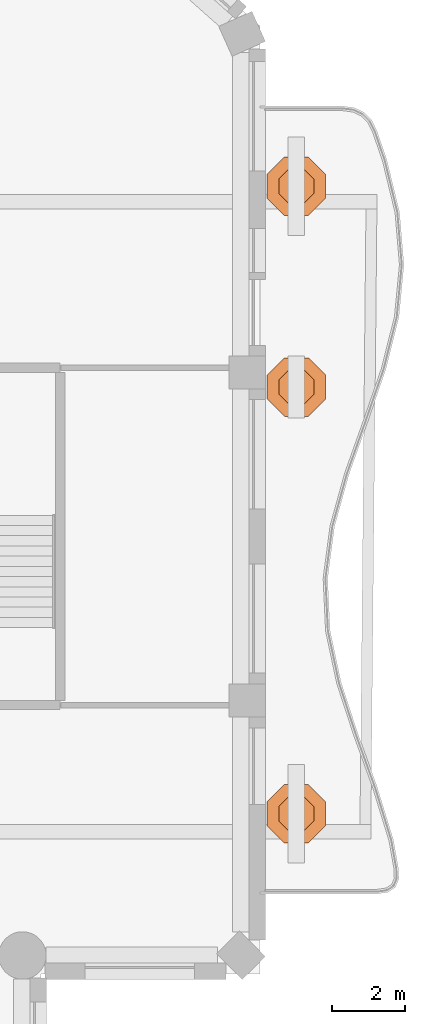
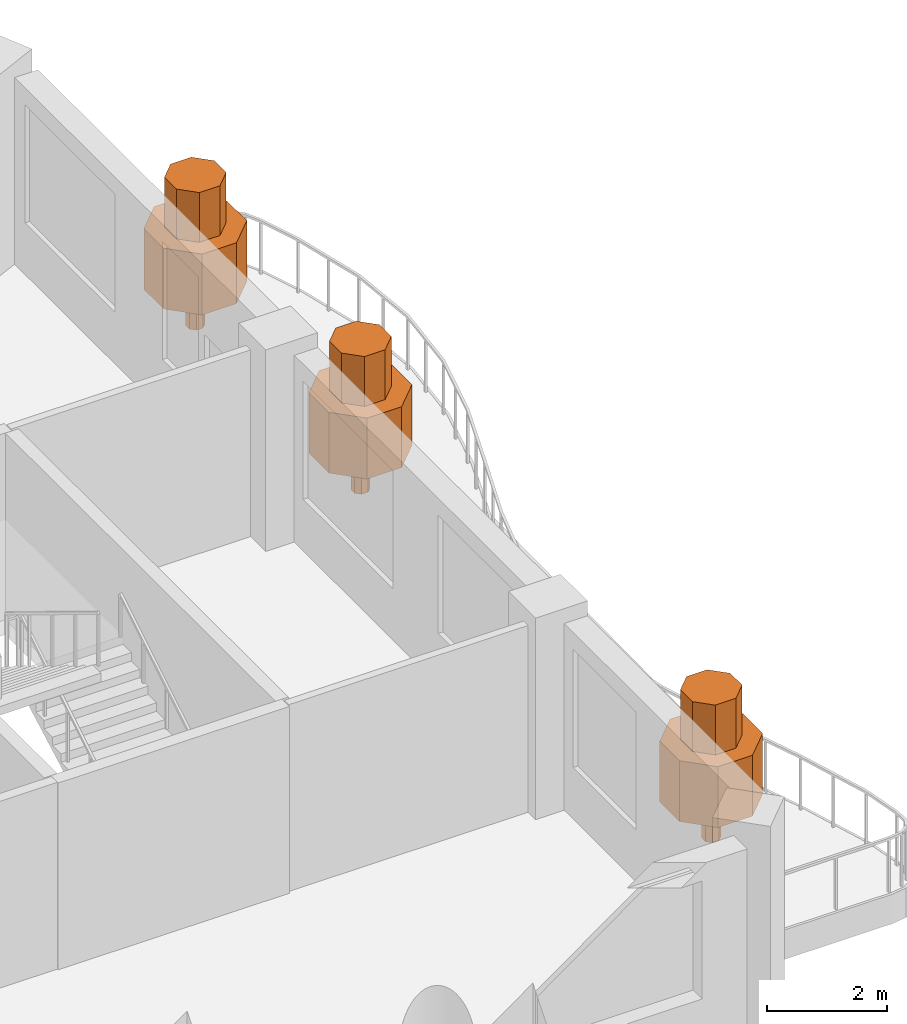
# One storey, part 14 of 14: 3 geographic elements.
"""IFC4 building model written with IfcOpenShell, lengths in metres."""

import ifcopenshell
import ifcopenshell.guid

model = None  # the IFC model being written
_history = None  # IfcOwnerHistory: only IFC2X3 demands one
_inside = {}  # id of a spatial element -> (the spatial element, [elements in it])
_under = {}  # id of a project, library or spatial element -> (it, [spatial elements below it])
_declared = {}  # id of a project -> (the project, [libraries it declares])
_typed = {}  # id of a type object -> (the type object, [elements of that type])
_made_of = {}  # id of a material, layer set ... -> (it, [elements and type objects made of it])


def new_model(schema):
    """Start an empty IFC model of exactly this schema.

    Asked for "IFC4X3", IfcOpenShell would pick the latest addendum, in which some entities
    have other attributes; the version numbers below select the first issue.
    IFC2X3 requires an IfcOwnerHistory on every rooted entity: one is made here for all.
    """
    global model, _history
    if schema == "IFC4X3":
        model = ifcopenshell.file(schema_version=(4, 3, 0, 0))
    else:
        model = ifcopenshell.file(schema=schema)
    _inside.clear()
    _under.clear()
    _declared.clear()
    _typed.clear()
    _made_of.clear()
    _history = None
    if model.schema == "IFC2X3":
        org = make("IfcOrganization", Name="unknown")
        user = make(
            "IfcPersonAndOrganization",
            ThePerson=make("IfcPerson", FamilyName="unknown"),
            TheOrganization=org,
        )
        app = make(
            "IfcApplication",
            ApplicationDeveloper=org,
            Version="unknown",
            ApplicationFullName="unknown",
            ApplicationIdentifier="unknown",
        )
        _history = make(
            "IfcOwnerHistory",
            OwningUser=user,
            OwningApplication=app,
            ChangeAction="ADDED",
            CreationDate=0,
        )
    return model


def make(cls, **values):
    """One entity of the class cls with the attributes given. An attribute that is None is left unset."""
    return model.create_entity(
        cls, **{name: value for name, value in values.items() if value is not None}
    )


def rooted(cls, **values):
    """An entity with a GlobalId (a new one), such as an element, a storey or a relation."""
    return make(cls, GlobalId=ifcopenshell.guid.new(), OwnerHistory=_history, **values)


def si_unit(unit_type, name, prefix=None):
    """IfcSIUnit, for example si_unit("LENGTHUNIT", "METRE", prefix="MILLI")."""
    return make("IfcSIUnit", UnitType=unit_type, Prefix=prefix, Name=name)


def assignment(units):
    """IfcUnitAssignment: the units of a project."""
    return None if units is None else make("IfcUnitAssignment", Units=units)


def point(xyz):
    """IfcCartesianPoint."""
    return None if xyz is None else make("IfcCartesianPoint", Coordinates=xyz)


def direction(xyz):
    """IfcDirection."""
    return None if xyz is None else make("IfcDirection", DirectionRatios=xyz)


def frame(location, z_axis=None, x_axis=None):
    """IfcAxis2Placement3D, a coordinate frame: its origin and axes. An axis left out is left unset."""
    return make(
        "IfcAxis2Placement3D",
        Location=point(location),
        Axis=direction(z_axis),
        RefDirection=direction(x_axis),
    )


def origin():
    """The frame at (0, 0, 0) with its axes left unset."""
    return frame((0.0, 0.0, 0.0))


def place(relative_to, where):
    """IfcLocalPlacement: puts the frame where relative to a parent placement (None: the world)."""
    return make(
        "IfcLocalPlacement", PlacementRelTo=relative_to, RelativePlacement=where
    )


def context(
    kind, dimensions, precision=None, world=None, true_north=None, identifier=None
):
    """IfcGeometricRepresentationContext, for example the 3D "Model" context."""
    return make(
        "IfcGeometricRepresentationContext",
        ContextIdentifier=identifier,
        ContextType=kind,
        CoordinateSpaceDimension=dimensions,
        Precision=precision,
        WorldCoordinateSystem=world,
        TrueNorth=true_north,
    )


def subcontext(parent, identifier, kind, view, scale=None):
    """IfcGeometricRepresentationSubContext, for example "Body" below "Model"."""
    return make(
        "IfcGeometricRepresentationSubContext",
        ContextIdentifier=identifier,
        ContextType=kind,
        ParentContext=parent,
        TargetScale=scale,
        TargetView=view,
    )


def project(units=None, contexts=None):
    """IfcProject with its units and contexts."""
    return rooted(
        "IfcProject",
        Name="project",
        RepresentationContexts=contexts,
        UnitsInContext=assignment(units),
    )


def spatial(cls, under=None, at=None, **own):
    """A site, building, storey or space (cls), placed at a placement, below another one or the project."""
    s = rooted(cls, ObjectPlacement=at, **own)
    if under is not None:
        _under.setdefault(under.id(), (under, []))[1].append(s)
    return s


def polyline(points):
    """IfcPolyline through the points."""
    return make("IfcPolyline", Points=[point(p) for p in points])


def outline(outer, holes=None, kind="AREA"):
    """IfcArbitraryClosedProfileDef: a profile drawn as a closed curve; with holes, ...WithVoids."""
    if holes is None:
        return make("IfcArbitraryClosedProfileDef", ProfileType=kind, OuterCurve=outer)
    return make(
        "IfcArbitraryProfileDefWithVoids",
        ProfileType=kind,
        OuterCurve=outer,
        InnerCurves=holes,
    )


def extrude(swept, where, along, depth):
    """IfcExtrudedAreaSolid: the profile swept, set in the frame where, extruded along a direction by depth."""
    return make(
        "IfcExtrudedAreaSolid",
        SweptArea=swept,
        Position=where,
        ExtrudedDirection=direction(along),
        Depth=depth,
    )


def shape(context_of_items, identifier, shape_type, items):
    """IfcShapeRepresentation: the items that make up one representation, for example the "Body"."""
    return make(
        "IfcShapeRepresentation",
        ContextOfItems=context_of_items,
        RepresentationIdentifier=identifier,
        RepresentationType=shape_type,
        Items=items,
    )


def material(Name=None, Category=None):
    """IfcMaterial."""
    return make("IfcMaterial", Name=Name, Category=Category)


def made_of(thing, what):
    """Note that an element or type object is made of a material, layer set ...; save() writes the relation."""
    if what is not None:
        _made_of.setdefault(what.id(), (what, []))[1].append(thing)
    return thing


def type_object(cls, material=None, **own):
    """A type object (cls), such as IfcWallType, which elements share."""
    return made_of(rooted(cls, **own), material)


def element(
    cls,
    number,
    at=None,
    inside=None,
    cuts=None,
    type_object=None,
    material=None,
    context=None,
    identifier="Body",
    shape_type=None,
    held_by="IfcProductDefinitionShape",
    body=None,
    shapes=None,
    **own,
):
    """One element of the class cls, such as IfcWall. Its Tag is "e" and its number.

    at: its placement. inside: the storey or other place that contains it. cuts: it is an
    opening in that element (IfcRelVoidsElement). A single representation is given by context,
    identifier, shape_type and body (its items); several are given by shapes. held_by: the class
    of the entity that holds the representations. save() writes the other relations.
    """
    e = rooted(cls, Tag="e%d" % number, ObjectPlacement=at, **own)
    if body is not None:
        shapes = [shape(context, identifier, shape_type, body)]
    if shapes is not None:
        e.Representation = make(held_by, Representations=shapes)
    if inside is not None:
        _inside.setdefault(inside.id(), (inside, []))[1].append(e)
    if cuts is not None:
        rooted(
            "IfcRelVoidsElement", RelatingBuildingElement=cuts, RelatedOpeningElement=e
        )
    if type_object is not None:
        _typed.setdefault(type_object.id(), (type_object, []))[1].append(e)
    return made_of(e, material)


def aggregate(whole, parts):
    """IfcRelAggregates: a whole, such as a stair, and the parts it consists of."""
    return rooted("IfcRelAggregates", RelatingObject=whole, RelatedObjects=parts)


def save(model, path):
    """Write the relations noted so far, then the file.

    IfcRelAggregates (storeys below a building ...), IfcRelContainedInSpatialStructure (elements
    in a storey), IfcRelDefinesByType, IfcRelAssociatesMaterial and IfcRelDeclares: one each for
    every whole, place, type object, material and project.
    """
    for whole, parts in _under.values():
        aggregate(whole, parts)
    for where, things in _inside.values():
        rooted(
            "IfcRelContainedInSpatialStructure",
            RelatedElements=things,
            RelatingStructure=where,
        )
    for kind, things in _typed.values():
        rooted("IfcRelDefinesByType", RelatedObjects=things, RelatingType=kind)
    for what, things in _made_of.values():
        rooted("IfcRelAssociatesMaterial", RelatedObjects=things, RelatingMaterial=what)
    for by, libraries in _declared.values():
        rooted("IfcRelDeclares", RelatingContext=by, RelatedDefinitions=libraries)
    model.write(path)


model = new_model("IFC4")

# Units and contexts
model_context = context("Model", 3, precision=1e-05, world=origin(), true_north=direction((0.0, 1.0)))
body_context = subcontext(model_context, "Body", "Model", "MODEL_VIEW")
ifc_project = project(units=[si_unit("LENGTHUNIT", "METRE"), si_unit("AREAUNIT", "SQUARE_METRE"), si_unit("VOLUMEUNIT", "CUBIC_METRE"), si_unit("PLANEANGLEUNIT", "RADIAN"), si_unit("MASSUNIT", "GRAM", prefix="KILO")], contexts=[model_context])

# Site, building, storey
site_placement = place(None, origin())
site = spatial("IfcSite", under=ifc_project, at=site_placement, CompositionType="ELEMENT")
building_placement = place(site_placement, origin())
building = spatial("IfcBuilding", under=site, at=building_placement, Name="Cypress Arch Tower", CompositionType="ELEMENT")
storey_placement = place(building_placement, frame((0.0, 0.0, 272.10009765625)))
storey = spatial("IfcBuildingStorey", under=building, at=storey_placement, Name="L61", CompositionType="ELEMENT", Elevation=272.10009765625)

# Geographic elements
ifc_material = material(Name="Foliage and planting")
geographic_element_type = type_object("IfcGeographicElementType", Name="Balcony tree TR", PredefinedType="USERDEFINED", material=ifc_material)
for number, where, z_axis, x_axis, name in (
    (1, (25.60009765625, -7.60009765625, 0.599853515625), (0.0, 0.0, 1.0), (1.0, 0.0, 0.0), "Balcony tree L61-C17.1"),
    (2, (25.60009765625, 4.095703125, 0.599853515625), (0.0, 0.0, 1.0), (1.0, 0.0, 0.0), "Balcony tree L61-C17.2"),
    (3, (25.60009765625, 9.60009765625, 0.599853515625), (0.0, 0.0, 1.0), (1.0, 0.0, 0.0), "Balcony tree L61-C17.3"),
):
    element("IfcGeographicElement", number, at=place(storey_placement, frame(where, z_axis=z_axis, x_axis=x_axis)), inside=storey, type_object=geographic_element_type, Name=name, ObjectType="TREE", PredefinedType="USERDEFINED", context=body_context, shape_type="SweptSolid", body=[
        extrude(outline(polyline([(0.14990234375, 0.06201171875), (0.06201171875, 0.14990234375), (-0.06201171875, 0.14990234375), (-0.14990234375, 0.06201171875), (-0.14990234375, -0.06201171875), (-0.06201171875, -0.14990234375), (0.06201171875, -0.14990234375), (0.14990234375, -0.06201171875), (0.14990234375, 0.06201171875)])), origin(), (0.0, 0.0, 1.0), 0.89990234375),
        extrude(outline(polyline([(0.800048828125, 0.331298828125), (0.331298828125, 0.800048828125), (-0.331298828125, 0.800048828125), (-0.800048828125, 0.331298828125), (-0.800048828125, -0.331298828125), (-0.331298828125, -0.800048828125), (0.331298828125, -0.800048828125), (0.800048828125, -0.331298828125), (0.800048828125, 0.331298828125)])), frame((0.0, 0.0, 0.800048828125)), (0.0, 0.0, 1.0), 1.237548828125),
        extrude(outline(polyline([(0.47998046875, 0.19873046875), (0.19873046875, 0.47998046875), (-0.19873046875, 0.47998046875), (-0.47998046875, 0.19873046875), (-0.47998046875, -0.19873046875), (-0.19873046875, -0.47998046875), (0.19873046875, -0.47998046875), (0.47998046875, -0.19873046875), (0.47998046875, 0.19873046875)])), frame((0.0, 0.0, 2.03759765625)), (0.0, 0.0, 1.0), 1.012451171875),
    ])

save(model, "model.ifc")
